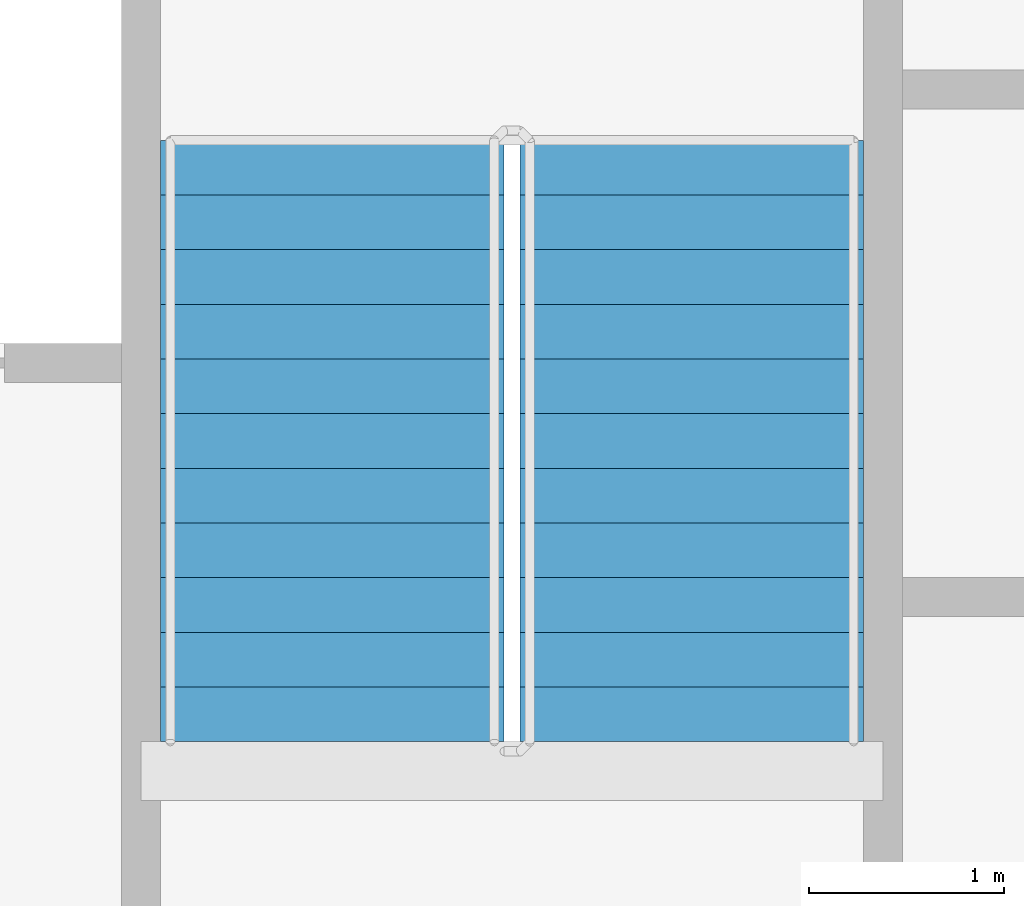
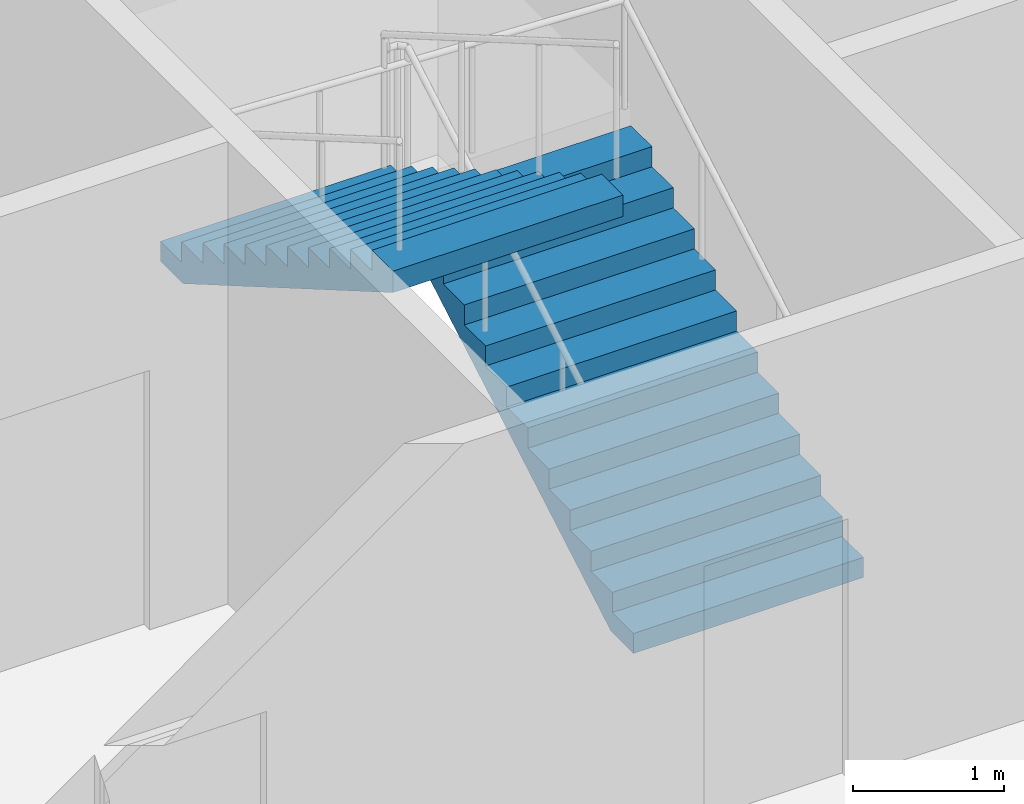
# One storey, part 16 of 21: 2 stair flights, 1 element without a shape of its own.
"""IFC4 building model written with IfcOpenShell, lengths in metres."""

from ifc_helpers import new_model, si_unit, direction, frame, origin, place, context, subcontext, project, spatial, faceted_brep, material, type_object, element, aggregate, save


model = new_model("IFC4")

# Units and contexts
model_context = context("Model", 3, precision=1e-05, world=origin(), true_north=direction((0.0, 1.0)))
body_context = subcontext(model_context, "Body", "Model", "MODEL_VIEW")
ifc_project = project(units=[si_unit("LENGTHUNIT", "METRE"), si_unit("AREAUNIT", "SQUARE_METRE"), si_unit("VOLUMEUNIT", "CUBIC_METRE"), si_unit("PLANEANGLEUNIT", "RADIAN"), si_unit("MASSUNIT", "GRAM", prefix="KILO")], contexts=[model_context])

# Site, building, storey
site_placement = place(None, origin())
site = spatial("IfcSite", under=ifc_project, at=site_placement, CompositionType="ELEMENT")
building_placement = place(site_placement, origin())
building = spatial("IfcBuilding", under=site, at=building_placement, Name="Tarsis Ring Headquarters", CompositionType="ELEMENT")
storey_placement = place(building_placement, frame((0.0, 0.0, 171.0)))
storey = spatial("IfcBuildingStorey", under=building, at=storey_placement, Name="L39", CompositionType="ELEMENT", Elevation=171.0)

# Stair, stair flights
ifc_material_1 = material(Name="Core stair 1760")
stair_type = type_object("IfcStairType", Name="Core stair 1760", PredefinedType="HALF_TURN_STAIR", material=ifc_material_1)
stair_placement = place(storey_placement, origin())
stair = element("IfcStair", 1, at=stair_placement, inside=storey, type_object=stair_type, Name="L39 Exit stair B", PredefinedType="HALF_TURN_STAIR")
ifc_material_2 = material(Name="Concrete C40/50", Category="concrete")
stair_flight_type = type_object("IfcStairFlightType", Name="Core stair flight 1760", PredefinedType="STRAIGHT", material=ifc_material_2)
stair_flight_1_placement = place(storey_placement, frame((5.419921875, 3.659912109375, 0.0), z_axis=(0.0, 0.0, 1.0), x_axis=(0.0, 1.0, 0.0)))
stair_flight_1 = element("IfcStairFlight", 2, at=stair_flight_1_placement, type_object=stair_flight_type, Name="Stair ST2 flight 1", NumberOfRisers=12, NumberOfTreads=11, PredefinedType="STRAIGHT", RiserHeight=0.1625, TreadLength=0.28, context=body_context, shape_type="Brep", body=[
    faceted_brep([(0.0, 0.8798828125, 0.0), (0.0, 0.8798828125, 0.16259765625), (0.280029296875, 0.8798828125, 0.16259765625), (0.280029296875, 0.8798828125, 0.324951171875), (0.56005859375, 0.8798828125, 0.324951171875), (0.56005859375, 0.8798828125, 0.487548828125), (0.840087890625, 0.8798828125, 0.487548828125), (0.840087890625, 0.8798828125, 0.64990234375), (1.1201171875, 0.8798828125, 0.64990234375), (1.1201171875, 0.8798828125, 0.8125), (1.39990234375, 0.8798828125, 0.8125), (1.39990234375, 0.8798828125, 0.97509765625), (1.679931640625, 0.8798828125, 0.97509765625), (1.679931640625, 0.8798828125, 1.137451171875), (1.9599609375, 0.8798828125, 1.137451171875), (1.9599609375, 0.8798828125, 1.300048828125), (2.239990234375, 0.8798828125, 1.300048828125), (2.239990234375, 0.8798828125, 1.46240234375), (2.52001953125, 0.8798828125, 1.46240234375), (2.52001953125, 0.8798828125, 1.625), (2.800048828125, 0.8798828125, 1.625), (2.800048828125, 0.8798828125, 1.78759765625), (3.080078125, 0.8798828125, 1.78759765625), (3.080078125, 0.8798828125, 1.6142578125), (0.298583984375, 0.8798828125, 0.0), (0.298583984375, -0.8798828125, 0.0), (3.080078125, -0.8798828125, 1.6142578125), (3.080078125, -0.8798828125, 1.78759765625), (2.800048828125, -0.8798828125, 1.78759765625), (2.800048828125, -0.8798828125, 1.625), (2.52001953125, -0.8798828125, 1.625), (2.52001953125, -0.8798828125, 1.46240234375), (2.239990234375, -0.8798828125, 1.46240234375), (2.239990234375, -0.8798828125, 1.300048828125), (1.9599609375, -0.8798828125, 1.300048828125), (1.9599609375, -0.8798828125, 1.137451171875), (1.679931640625, -0.8798828125, 1.137451171875), (1.679931640625, -0.8798828125, 0.97509765625), (1.39990234375, -0.8798828125, 0.97509765625), (1.39990234375, -0.8798828125, 0.8125), (1.1201171875, -0.8798828125, 0.8125), (1.1201171875, -0.8798828125, 0.64990234375), (0.840087890625, -0.8798828125, 0.64990234375), (0.840087890625, -0.8798828125, 0.487548828125), (0.56005859375, -0.8798828125, 0.487548828125), (0.56005859375, -0.8798828125, 0.324951171875), (0.280029296875, -0.8798828125, 0.324951171875), (0.280029296875, -0.8798828125, 0.16259765625), (0.0, -0.8798828125, 0.16259765625), (0.0, -0.8798828125, 0.0), (0.0, -0.43994140625, 0.16259765625), (0.0, -0.43994140625, 0.0), (0.0, 0.0, 0.16259765625), (0.0, 0.0, 0.0), (0.0, 0.43994140625, 0.16259765625), (0.0, 0.43994140625, 0.0), (0.280029296875, -0.43994140625, 0.16259765625), (0.280029296875, 0.0, 0.16259765625), (0.280029296875, 0.43994140625, 0.16259765625), (0.280029296875, -0.43994140625, 0.324951171875), (0.280029296875, 0.0, 0.324951171875), (0.280029296875, 0.43994140625, 0.324951171875), (0.56005859375, -0.43994140625, 0.324951171875), (0.56005859375, 0.0, 0.324951171875), (0.56005859375, 0.43994140625, 0.324951171875), (0.56005859375, -0.43994140625, 0.487548828125), (0.56005859375, 0.0, 0.487548828125), (0.56005859375, 0.43994140625, 0.487548828125), (0.840087890625, -0.43994140625, 0.487548828125), (0.840087890625, 0.0, 0.487548828125), (0.840087890625, 0.43994140625, 0.487548828125), (0.840087890625, -0.43994140625, 0.64990234375), (0.840087890625, 0.0, 0.64990234375), (0.840087890625, 0.43994140625, 0.64990234375), (1.1201171875, -0.43994140625, 0.64990234375), (1.1201171875, 0.0, 0.64990234375), (1.1201171875, 0.43994140625, 0.64990234375), (1.1201171875, -0.43994140625, 0.8125), (1.1201171875, 0.0, 0.8125), (1.1201171875, 0.43994140625, 0.8125), (1.39990234375, -0.43994140625, 0.8125), (1.39990234375, 0.0, 0.8125), (1.39990234375, 0.43994140625, 0.8125), (1.39990234375, -0.43994140625, 0.97509765625), (1.39990234375, 0.0, 0.97509765625), (1.39990234375, 0.43994140625, 0.97509765625), (1.679931640625, -0.43994140625, 0.97509765625), (1.679931640625, 0.0, 0.97509765625), (1.679931640625, 0.43994140625, 0.97509765625), (1.679931640625, -0.43994140625, 1.137451171875), (1.679931640625, 0.0, 1.137451171875), (1.679931640625, 0.43994140625, 1.137451171875), (1.9599609375, -0.43994140625, 1.137451171875), (1.9599609375, 0.0, 1.137451171875), (1.9599609375, 0.43994140625, 1.137451171875), (1.9599609375, -0.43994140625, 1.300048828125), (1.9599609375, 0.0, 1.300048828125), (1.9599609375, 0.43994140625, 1.300048828125), (2.239990234375, -0.43994140625, 1.300048828125), (2.239990234375, 0.0, 1.300048828125), (2.239990234375, 0.43994140625, 1.300048828125), (2.239990234375, -0.43994140625, 1.46240234375), (2.239990234375, 0.0, 1.46240234375), (2.239990234375, 0.43994140625, 1.46240234375), (2.52001953125, -0.43994140625, 1.46240234375), (2.52001953125, 0.0, 1.46240234375), (2.52001953125, 0.43994140625, 1.46240234375), (2.52001953125, -0.43994140625, 1.625), (2.52001953125, 0.0, 1.625), (2.52001953125, 0.43994140625, 1.625), (2.800048828125, -0.43994140625, 1.625), (2.800048828125, 0.0, 1.625), (2.800048828125, 0.43994140625, 1.625), (2.800048828125, -0.43994140625, 1.78759765625), (2.800048828125, 0.0, 1.78759765625), (2.800048828125, 0.43994140625, 1.78759765625), (3.080078125, -0.43994140625, 1.78759765625), (3.080078125, 0.0, 1.78759765625), (3.080078125, 0.43994140625, 1.78759765625), (3.080078125, -0.43994140625, 1.6142578125), (3.080078125, 0.0, 1.6142578125), (3.080078125, 0.43994140625, 1.6142578125), (0.298583984375, -0.43994140625, 0.0), (0.298583984375, 0.0, 0.0), (0.298583984375, 0.43994140625, 0.0)], [[[0, 1, 2, 3, 4, 5, 6, 7, 8, 9, 10, 11, 12, 13, 14, 15, 16, 17, 18, 19, 20, 21, 22, 23, 24]], [[25, 26, 27, 28, 29, 30, 31, 32, 33, 34, 35, 36, 37, 38, 39, 40, 41, 42, 43, 44, 45, 46, 47, 48, 49]], [[49, 48, 50, 51]], [[51, 50, 52, 53]], [[53, 52, 54, 55]], [[55, 54, 1, 0]], [[48, 47, 56, 50]], [[50, 56, 57, 52]], [[52, 57, 58, 54]], [[54, 58, 2, 1]], [[47, 46, 59, 56]], [[56, 59, 60, 57]], [[57, 60, 61, 58]], [[58, 61, 3, 2]], [[46, 45, 62, 59]], [[59, 62, 63, 60]], [[60, 63, 64, 61]], [[61, 64, 4, 3]], [[45, 44, 65, 62]], [[62, 65, 66, 63]], [[63, 66, 67, 64]], [[64, 67, 5, 4]], [[44, 43, 68, 65]], [[65, 68, 69, 66]], [[66, 69, 70, 67]], [[67, 70, 6, 5]], [[43, 42, 71, 68]], [[68, 71, 72, 69]], [[69, 72, 73, 70]], [[70, 73, 7, 6]], [[42, 41, 74, 71]], [[71, 74, 75, 72]], [[72, 75, 76, 73]], [[73, 76, 8, 7]], [[41, 40, 77, 74]], [[74, 77, 78, 75]], [[75, 78, 79, 76]], [[76, 79, 9, 8]], [[40, 39, 80, 77]], [[77, 80, 81, 78]], [[78, 81, 82, 79]], [[79, 82, 10, 9]], [[39, 38, 83, 80]], [[80, 83, 84, 81]], [[81, 84, 85, 82]], [[82, 85, 11, 10]], [[38, 37, 86, 83]], [[83, 86, 87, 84]], [[84, 87, 88, 85]], [[85, 88, 12, 11]], [[37, 36, 89, 86]], [[86, 89, 90, 87]], [[87, 90, 91, 88]], [[88, 91, 13, 12]], [[36, 35, 92, 89]], [[89, 92, 93, 90]], [[90, 93, 94, 91]], [[91, 94, 14, 13]], [[35, 34, 95, 92]], [[92, 95, 96, 93]], [[93, 96, 97, 94]], [[94, 97, 15, 14]], [[34, 33, 98, 95]], [[95, 98, 99, 96]], [[96, 99, 100, 97]], [[97, 100, 16, 15]], [[33, 32, 101, 98]], [[98, 101, 102, 99]], [[99, 102, 103, 100]], [[100, 103, 17, 16]], [[32, 31, 104, 101]], [[101, 104, 105, 102]], [[102, 105, 106, 103]], [[103, 106, 18, 17]], [[31, 30, 107, 104]], [[104, 107, 108, 105]], [[105, 108, 109, 106]], [[106, 109, 19, 18]], [[30, 29, 110, 107]], [[107, 110, 111, 108]], [[108, 111, 112, 109]], [[109, 112, 20, 19]], [[29, 28, 113, 110]], [[110, 113, 114, 111]], [[111, 114, 115, 112]], [[112, 115, 21, 20]], [[28, 27, 116, 113]], [[113, 116, 117, 114]], [[114, 117, 118, 115]], [[115, 118, 22, 21]], [[27, 26, 119, 116]], [[116, 119, 120, 117]], [[117, 120, 121, 118]], [[118, 121, 23, 22]], [[26, 25, 122, 119]], [[119, 122, 123, 120]], [[120, 123, 124, 121]], [[121, 124, 24, 23]], [[25, 49, 51, 122]], [[122, 51, 53, 123]], [[123, 53, 55, 124]], [[124, 55, 0, 24]]]),
])
stair_flight_2_placement = place(storey_placement, frame((3.580078125, 6.739990234375, 1.949951171875), z_axis=(0.0, 0.0, 1.0), x_axis=(0.0, -1.0, 0.0)))
stair_flight_2 = element("IfcStairFlight", 3, at=stair_flight_2_placement, type_object=stair_flight_type, Name="Stair ST2 flight 2", NumberOfRisers=12, NumberOfTreads=11, PredefinedType="STRAIGHT", RiserHeight=0.1625, TreadLength=0.28, context=body_context, shape_type="Brep", body=[
    faceted_brep([(0.0, 0.8798828125, 0.0), (0.0, 0.8798828125, 0.16259765625), (0.280029296875, 0.8798828125, 0.16259765625), (0.280029296875, 0.8798828125, 0.324951171875), (0.56005859375, 0.8798828125, 0.324951171875), (0.56005859375, 0.8798828125, 0.487548828125), (0.840087890625, 0.8798828125, 0.487548828125), (0.840087890625, 0.8798828125, 0.64990234375), (1.1201171875, 0.8798828125, 0.64990234375), (1.1201171875, 0.8798828125, 0.8125), (1.39990234375, 0.8798828125, 0.8125), (1.39990234375, 0.8798828125, 0.97509765625), (1.679931640625, 0.8798828125, 0.97509765625), (1.679931640625, 0.8798828125, 1.137451171875), (1.9599609375, 0.8798828125, 1.137451171875), (1.9599609375, 0.8798828125, 1.300048828125), (2.239990234375, 0.8798828125, 1.300048828125), (2.239990234375, 0.8798828125, 1.46240234375), (2.52001953125, 0.8798828125, 1.46240234375), (2.52001953125, 0.8798828125, 1.625), (2.800048828125, 0.8798828125, 1.625), (2.800048828125, 0.8798828125, 1.78759765625), (3.080078125, 0.8798828125, 1.78759765625), (3.080078125, 0.8798828125, 1.6142578125), (0.298583984375, 0.8798828125, 0.0), (0.298583984375, -0.8798828125, 0.0), (3.080078125, -0.8798828125, 1.6142578125), (3.080078125, -0.8798828125, 1.78759765625), (2.800048828125, -0.8798828125, 1.78759765625), (2.800048828125, -0.8798828125, 1.625), (2.52001953125, -0.8798828125, 1.625), (2.52001953125, -0.8798828125, 1.46240234375), (2.239990234375, -0.8798828125, 1.46240234375), (2.239990234375, -0.8798828125, 1.300048828125), (1.9599609375, -0.8798828125, 1.300048828125), (1.9599609375, -0.8798828125, 1.137451171875), (1.679931640625, -0.8798828125, 1.137451171875), (1.679931640625, -0.8798828125, 0.97509765625), (1.39990234375, -0.8798828125, 0.97509765625), (1.39990234375, -0.8798828125, 0.8125), (1.1201171875, -0.8798828125, 0.8125), (1.1201171875, -0.8798828125, 0.64990234375), (0.840087890625, -0.8798828125, 0.64990234375), (0.840087890625, -0.8798828125, 0.487548828125), (0.56005859375, -0.8798828125, 0.487548828125), (0.56005859375, -0.8798828125, 0.324951171875), (0.280029296875, -0.8798828125, 0.324951171875), (0.280029296875, -0.8798828125, 0.16259765625), (0.0, -0.8798828125, 0.16259765625), (0.0, -0.8798828125, 0.0), (0.0, -0.43994140625, 0.16259765625), (0.0, -0.43994140625, 0.0), (0.0, 0.0, 0.16259765625), (0.0, 0.0, 0.0), (0.0, 0.43994140625, 0.16259765625), (0.0, 0.43994140625, 0.0), (0.280029296875, -0.43994140625, 0.16259765625), (0.280029296875, 0.0, 0.16259765625), (0.280029296875, 0.43994140625, 0.16259765625), (0.280029296875, -0.43994140625, 0.324951171875), (0.280029296875, 0.0, 0.324951171875), (0.280029296875, 0.43994140625, 0.324951171875), (0.56005859375, -0.43994140625, 0.324951171875), (0.56005859375, 0.0, 0.324951171875), (0.56005859375, 0.43994140625, 0.324951171875), (0.56005859375, -0.43994140625, 0.487548828125), (0.56005859375, 0.0, 0.487548828125), (0.56005859375, 0.43994140625, 0.487548828125), (0.840087890625, -0.43994140625, 0.487548828125), (0.840087890625, 0.0, 0.487548828125), (0.840087890625, 0.43994140625, 0.487548828125), (0.840087890625, -0.43994140625, 0.64990234375), (0.840087890625, 0.0, 0.64990234375), (0.840087890625, 0.43994140625, 0.64990234375), (1.1201171875, -0.43994140625, 0.64990234375), (1.1201171875, 0.0, 0.64990234375), (1.1201171875, 0.43994140625, 0.64990234375), (1.1201171875, -0.43994140625, 0.8125), (1.1201171875, 0.0, 0.8125), (1.1201171875, 0.43994140625, 0.8125), (1.39990234375, -0.43994140625, 0.8125), (1.39990234375, 0.0, 0.8125), (1.39990234375, 0.43994140625, 0.8125), (1.39990234375, -0.43994140625, 0.97509765625), (1.39990234375, 0.0, 0.97509765625), (1.39990234375, 0.43994140625, 0.97509765625), (1.679931640625, -0.43994140625, 0.97509765625), (1.679931640625, 0.0, 0.97509765625), (1.679931640625, 0.43994140625, 0.97509765625), (1.679931640625, -0.43994140625, 1.137451171875), (1.679931640625, 0.0, 1.137451171875), (1.679931640625, 0.43994140625, 1.137451171875), (1.9599609375, -0.43994140625, 1.137451171875), (1.9599609375, 0.0, 1.137451171875), (1.9599609375, 0.43994140625, 1.137451171875), (1.9599609375, -0.43994140625, 1.300048828125), (1.9599609375, 0.0, 1.300048828125), (1.9599609375, 0.43994140625, 1.300048828125), (2.239990234375, -0.43994140625, 1.300048828125), (2.239990234375, 0.0, 1.300048828125), (2.239990234375, 0.43994140625, 1.300048828125), (2.239990234375, -0.43994140625, 1.46240234375), (2.239990234375, 0.0, 1.46240234375), (2.239990234375, 0.43994140625, 1.46240234375), (2.52001953125, -0.43994140625, 1.46240234375), (2.52001953125, 0.0, 1.46240234375), (2.52001953125, 0.43994140625, 1.46240234375), (2.52001953125, -0.43994140625, 1.625), (2.52001953125, 0.0, 1.625), (2.52001953125, 0.43994140625, 1.625), (2.800048828125, -0.43994140625, 1.625), (2.800048828125, 0.0, 1.625), (2.800048828125, 0.43994140625, 1.625), (2.800048828125, -0.43994140625, 1.78759765625), (2.800048828125, 0.0, 1.78759765625), (2.800048828125, 0.43994140625, 1.78759765625), (3.080078125, -0.43994140625, 1.78759765625), (3.080078125, 0.0, 1.78759765625), (3.080078125, 0.43994140625, 1.78759765625), (3.080078125, -0.43994140625, 1.6142578125), (3.080078125, 0.0, 1.6142578125), (3.080078125, 0.43994140625, 1.6142578125), (0.298583984375, -0.43994140625, 0.0), (0.298583984375, 0.0, 0.0), (0.298583984375, 0.43994140625, 0.0)], [[[0, 1, 2, 3, 4, 5, 6, 7, 8, 9, 10, 11, 12, 13, 14, 15, 16, 17, 18, 19, 20, 21, 22, 23, 24]], [[25, 26, 27, 28, 29, 30, 31, 32, 33, 34, 35, 36, 37, 38, 39, 40, 41, 42, 43, 44, 45, 46, 47, 48, 49]], [[49, 48, 50, 51]], [[51, 50, 52, 53]], [[53, 52, 54, 55]], [[55, 54, 1, 0]], [[48, 47, 56, 50]], [[50, 56, 57, 52]], [[52, 57, 58, 54]], [[54, 58, 2, 1]], [[47, 46, 59, 56]], [[56, 59, 60, 57]], [[57, 60, 61, 58]], [[58, 61, 3, 2]], [[46, 45, 62, 59]], [[59, 62, 63, 60]], [[60, 63, 64, 61]], [[61, 64, 4, 3]], [[45, 44, 65, 62]], [[62, 65, 66, 63]], [[63, 66, 67, 64]], [[64, 67, 5, 4]], [[44, 43, 68, 65]], [[65, 68, 69, 66]], [[66, 69, 70, 67]], [[67, 70, 6, 5]], [[43, 42, 71, 68]], [[68, 71, 72, 69]], [[69, 72, 73, 70]], [[70, 73, 7, 6]], [[42, 41, 74, 71]], [[71, 74, 75, 72]], [[72, 75, 76, 73]], [[73, 76, 8, 7]], [[41, 40, 77, 74]], [[74, 77, 78, 75]], [[75, 78, 79, 76]], [[76, 79, 9, 8]], [[40, 39, 80, 77]], [[77, 80, 81, 78]], [[78, 81, 82, 79]], [[79, 82, 10, 9]], [[39, 38, 83, 80]], [[80, 83, 84, 81]], [[81, 84, 85, 82]], [[82, 85, 11, 10]], [[38, 37, 86, 83]], [[83, 86, 87, 84]], [[84, 87, 88, 85]], [[85, 88, 12, 11]], [[37, 36, 89, 86]], [[86, 89, 90, 87]], [[87, 90, 91, 88]], [[88, 91, 13, 12]], [[36, 35, 92, 89]], [[89, 92, 93, 90]], [[90, 93, 94, 91]], [[91, 94, 14, 13]], [[35, 34, 95, 92]], [[92, 95, 96, 93]], [[93, 96, 97, 94]], [[94, 97, 15, 14]], [[34, 33, 98, 95]], [[95, 98, 99, 96]], [[96, 99, 100, 97]], [[97, 100, 16, 15]], [[33, 32, 101, 98]], [[98, 101, 102, 99]], [[99, 102, 103, 100]], [[100, 103, 17, 16]], [[32, 31, 104, 101]], [[101, 104, 105, 102]], [[102, 105, 106, 103]], [[103, 106, 18, 17]], [[31, 30, 107, 104]], [[104, 107, 108, 105]], [[105, 108, 109, 106]], [[106, 109, 19, 18]], [[30, 29, 110, 107]], [[107, 110, 111, 108]], [[108, 111, 112, 109]], [[109, 112, 20, 19]], [[29, 28, 113, 110]], [[110, 113, 114, 111]], [[111, 114, 115, 112]], [[112, 115, 21, 20]], [[28, 27, 116, 113]], [[113, 116, 117, 114]], [[114, 117, 118, 115]], [[115, 118, 22, 21]], [[27, 26, 119, 116]], [[116, 119, 120, 117]], [[117, 120, 121, 118]], [[118, 121, 23, 22]], [[26, 25, 122, 119]], [[119, 122, 123, 120]], [[120, 123, 124, 121]], [[121, 124, 24, 23]], [[25, 49, 51, 122]], [[122, 51, 53, 123]], [[123, 53, 55, 124]], [[124, 55, 0, 24]]]),
])
aggregate(stair, [stair_flight_1, stair_flight_2])

save(model, "model.ifc")
